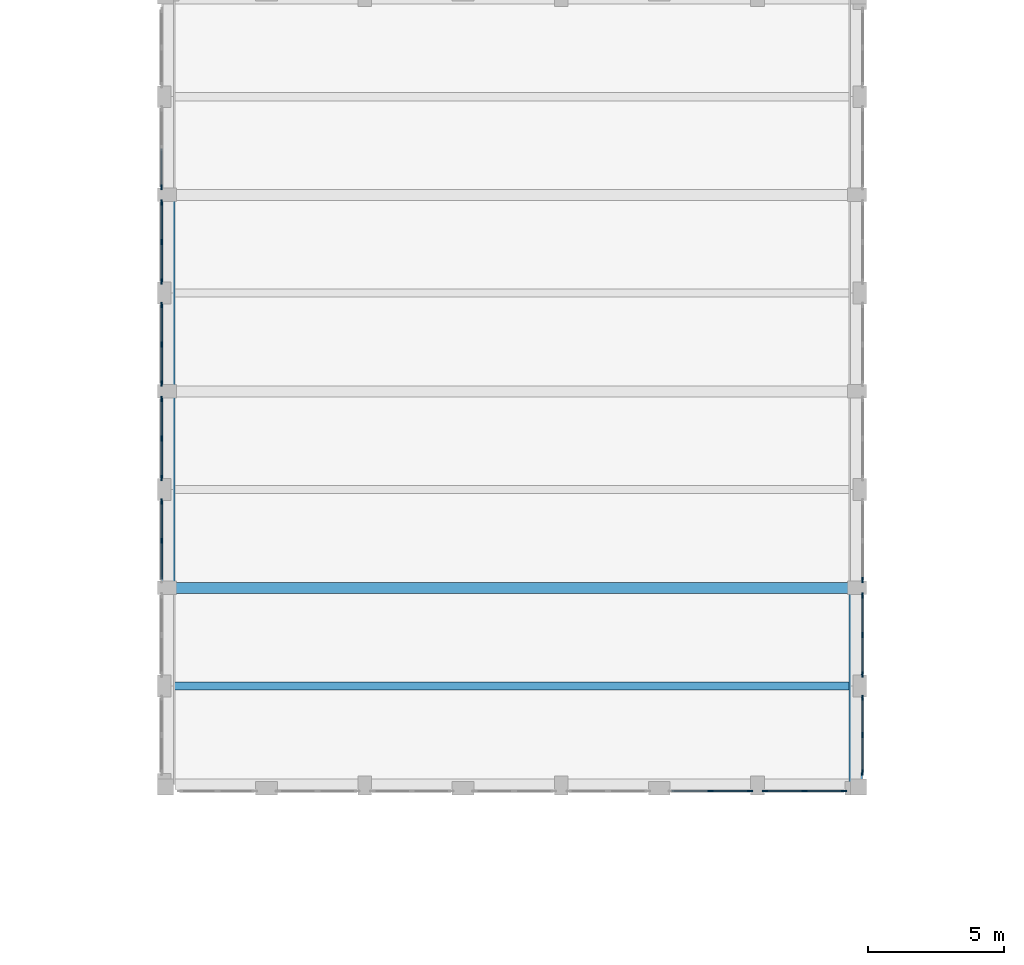
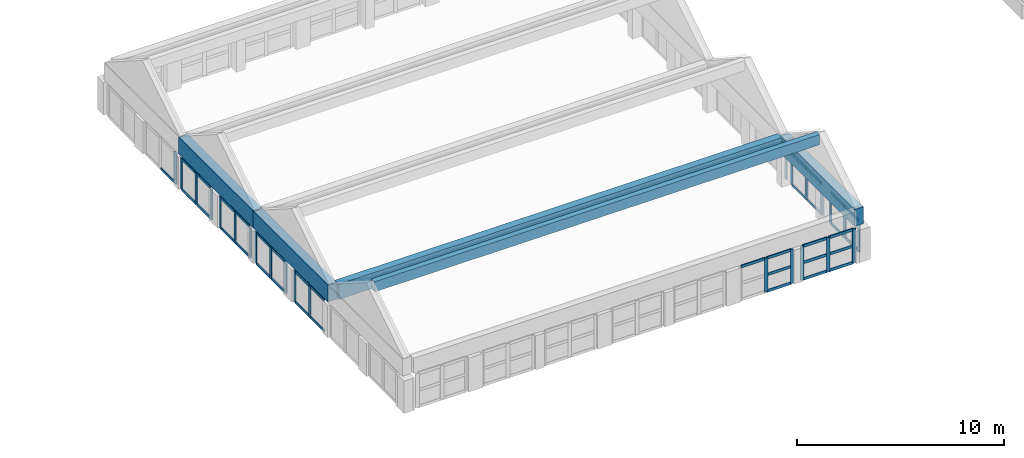
# One storey, part 3 of 38: 59 members, 5 beams, 10 elements without a shape of their own.
"""IFC4 building model written with IfcOpenShell, lengths in metres."""

from ifc_helpers import new_model, si_unit, direction, frame, origin, origin_2d, place, context, subcontext, project, spatial, rectangle, extrude, material, layer, layer_set, material_profile, profile_set, type_object, element, aggregate, save


model = new_model("IFC4")

# Units and contexts
model_context = context("Model", 3, precision=1e-05, world=origin(), true_north=direction((0.0, 1.0)))
body_context = subcontext(model_context, "Body", "Model", "MODEL_VIEW")
ifc_project = project(units=[si_unit("LENGTHUNIT", "METRE"), si_unit("AREAUNIT", "SQUARE_METRE"), si_unit("VOLUMEUNIT", "CUBIC_METRE"), si_unit("PLANEANGLEUNIT", "RADIAN"), si_unit("MASSUNIT", "GRAM", prefix="KILO")], contexts=[model_context])

# Site, building, storey
site_placement = place(None, origin())
site = spatial("IfcSite", under=ifc_project, at=site_placement, CompositionType="ELEMENT")
building_placement = place(site_placement, origin())
building = spatial("IfcBuilding", under=site, at=building_placement, Name="Ussher Court Research Institute", CompositionType="ELEMENT")
storey_placement = place(building_placement, frame((0.0, 0.0, 23.39990234375)))
storey = spatial("IfcBuildingStorey", under=building, at=storey_placement, Name="L05", CompositionType="ELEMENT", Elevation=23.39990234375)

# Curtain wall, member
ifc_material_1 = material(Name="Bronze anodised aluminium with low-e glass", Category="aluminium")
ifc_layer = layer(ifc_material_1, 0.159912109375)
ifc_layer_set = layer_set([ifc_layer], Name="Bronze anodised aluminium with low-e glass")
curtain_wall_type = type_object("IfcCurtainWallType", Name="Curtain wall atrium clerestory tall glazing", PredefinedType="NOTDEFINED", material=ifc_layer_set)
curtain_wall_1_placement = place(storey_placement, origin())
curtain_wall_1 = element("IfcCurtainWall", 1, at=curtain_wall_1_placement, inside=storey, type_object=curtain_wall_type, Name="Curtain wall CW3 L05", PredefinedType="NOTDEFINED")
ifc_material_2 = material(Name="Bronze anodised aluminium", Category="aluminium")
ifc_material_profile_1 = material_profile(ifc_material_2, rectangle(XDim=0.06005859375, YDim=0.199951171875, at=origin_2d()), Name="Mullion 60x200")
ifc_profile_set_1 = profile_set([ifc_material_profile_1], Name="Bronze anodised aluminium")
member_type_1 = type_object("IfcMemberType", Name="Mullion 60x200", PredefinedType="MULLION", material=ifc_profile_set_1)
member_1_placement = place(storey_placement, frame((64.449951171875, 18.679931640625, 0.0), z_axis=(0.0, 0.0, 1.0), x_axis=(1.0, 0.0, 0.0)))
member_1 = element("IfcMember", 2, at=member_1_placement, type_object=member_type_1, Name="CW3 mullion 3", PredefinedType="MULLION", context=body_context, shape_type="SweptSolid", body=[
    extrude(rectangle(XDim=0.06005859375, YDim=0.199951171875, at=origin_2d()), origin(), (0.0, 0.0, 1.0), 1.85009765625),
])
aggregate(curtain_wall_1, [member_1])

# Curtain wall, members
curtain_wall_2_placement = place(storey_placement, origin())
curtain_wall_2 = element("IfcCurtainWall", 3, at=curtain_wall_2_placement, inside=storey, type_object=curtain_wall_type, Name="Curtain wall CW3 L05", PredefinedType="NOTDEFINED")
member_2_placement = place(storey_placement, frame((64.449951171875, 18.1201171875, 0.0), z_axis=(0.0, 0.0, 1.0), x_axis=(1.0, 0.0, 0.0)))
member_2 = element("IfcMember", 4, at=member_2_placement, type_object=member_type_1, Name="CW3 mullion 1", PredefinedType="MULLION", context=body_context, shape_type="SweptSolid", body=[
    extrude(rectangle(XDim=0.06005859375, YDim=0.199951171875, at=origin_2d()), origin(), (0.0, 0.0, 1.0), 1.85009765625),
])
member_3_placement = place(storey_placement, frame((64.449951171875, 16.675048828125, 0.0), z_axis=(0.0, 0.0, 1.0), x_axis=(1.0, 0.0, 0.0)))
member_3 = element("IfcMember", 5, at=member_3_placement, type_object=member_type_1, Name="CW3 mullion 2", PredefinedType="MULLION", context=body_context, shape_type="SweptSolid", body=[
    extrude(rectangle(XDim=0.06005859375, YDim=0.199951171875, at=origin_2d()), origin(), (0.0, 0.0, 1.0), 1.85009765625),
])
member_4_placement = place(storey_placement, frame((64.449951171875, 15.22998046875, 0.0), z_axis=(0.0, 0.0, 1.0), x_axis=(1.0, 0.0, 0.0)))
member_4 = element("IfcMember", 6, at=member_4_placement, type_object=member_type_1, Name="CW3 mullion 3", PredefinedType="MULLION", context=body_context, shape_type="SweptSolid", body=[
    extrude(rectangle(XDim=0.06005859375, YDim=0.199951171875, at=origin_2d()), origin(), (0.0, 0.0, 1.0), 1.85009765625),
])

curtain_wall_3_placement = place(storey_placement, origin())
curtain_wall_3 = element("IfcCurtainWall", 7, at=curtain_wall_3_placement, inside=storey, type_object=curtain_wall_type, Name="Curtain wall CW3 L05", PredefinedType="NOTDEFINED")
member_5_placement = place(storey_placement, frame((64.449951171875, 14.3701171875, 0.0), z_axis=(0.0, 0.0, 1.0), x_axis=(1.0, 0.0, 0.0)))
member_5 = element("IfcMember", 8, at=member_5_placement, type_object=member_type_1, Name="CW3 mullion 1", PredefinedType="MULLION", context=body_context, shape_type="SweptSolid", body=[
    extrude(rectangle(XDim=0.06005859375, YDim=0.199951171875, at=origin_2d()), origin(), (0.0, 0.0, 1.0), 1.85009765625),
])
member_6_placement = place(storey_placement, frame((64.449951171875, 13.0, 0.0), z_axis=(0.0, 0.0, 1.0), x_axis=(1.0, 0.0, 0.0)))
member_6 = element("IfcMember", 9, at=member_6_placement, type_object=member_type_1, Name="CW3 mullion 2", PredefinedType="MULLION", context=body_context, shape_type="SweptSolid", body=[
    extrude(rectangle(XDim=0.06005859375, YDim=0.199951171875, at=origin_2d()), origin(), (0.0, 0.0, 1.0), 1.85009765625),
])
member_7_placement = place(storey_placement, frame((64.449951171875, 11.6298828125, 0.0), z_axis=(0.0, 0.0, 1.0), x_axis=(1.0, 0.0, 0.0)))
member_7 = element("IfcMember", 10, at=member_7_placement, type_object=member_type_1, Name="CW3 mullion 3", PredefinedType="MULLION", context=body_context, shape_type="SweptSolid", body=[
    extrude(rectangle(XDim=0.06005859375, YDim=0.199951171875, at=origin_2d()), origin(), (0.0, 0.0, 1.0), 1.85009765625),
])

curtain_wall_4_placement = place(storey_placement, origin())
curtain_wall_4 = element("IfcCurtainWall", 11, at=curtain_wall_4_placement, inside=storey, type_object=curtain_wall_type, Name="Curtain wall CW3 L05", PredefinedType="NOTDEFINED")
member_8_placement = place(storey_placement, frame((63.77001953125, 10.949951171875, 0.0), z_axis=(0.0, 0.0, 1.0), x_axis=(0.0, -1.0, 0.0)))
member_8 = element("IfcMember", 12, at=member_8_placement, type_object=member_type_1, Name="CW3 mullion 1", PredefinedType="MULLION", context=body_context, shape_type="SweptSolid", body=[
    extrude(rectangle(XDim=0.06005859375, YDim=0.199951171875, at=origin_2d()), origin(), (0.0, 0.0, 1.0), 2.0),
])
member_9_placement = place(storey_placement, frame((62.324951171875, 10.949951171875, 0.0), z_axis=(0.0, 0.0, 1.0), x_axis=(0.0, -1.0, 0.0)))
member_9 = element("IfcMember", 13, at=member_9_placement, type_object=member_type_1, Name="CW3 mullion 2", PredefinedType="MULLION", context=body_context, shape_type="SweptSolid", body=[
    extrude(rectangle(XDim=0.06005859375, YDim=0.199951171875, at=origin_2d()), origin(), (0.0, 0.0, 1.0), 2.0),
])
member_10_placement = place(storey_placement, frame((60.8798828125, 10.949951171875, 0.0), z_axis=(0.0, 0.0, 1.0), x_axis=(0.0, -1.0, 0.0)))
member_10 = element("IfcMember", 14, at=member_10_placement, type_object=member_type_1, Name="CW3 mullion 3", PredefinedType="MULLION", context=body_context, shape_type="SweptSolid", body=[
    extrude(rectangle(XDim=0.06005859375, YDim=0.199951171875, at=origin_2d()), origin(), (0.0, 0.0, 1.0), 2.0),
])

curtain_wall_5_placement = place(storey_placement, origin())
curtain_wall_5 = element("IfcCurtainWall", 15, at=curtain_wall_5_placement, inside=storey, type_object=curtain_wall_type, Name="Curtain wall CW3 L05", PredefinedType="NOTDEFINED")
member_11_placement = place(storey_placement, frame((60.320068359375, 10.949951171875, 0.0), z_axis=(0.0, 0.0, 1.0), x_axis=(0.0, -1.0, 0.0)))
member_11 = element("IfcMember", 16, at=member_11_placement, type_object=member_type_1, Name="CW3 mullion 1", PredefinedType="MULLION", context=body_context, shape_type="SweptSolid", body=[
    extrude(rectangle(XDim=0.06005859375, YDim=0.199951171875, at=origin_2d()), origin(), (0.0, 0.0, 1.0), 2.0),
])
member_12_placement = place(storey_placement, frame((58.875, 10.949951171875, 0.0), z_axis=(0.0, 0.0, 1.0), x_axis=(0.0, -1.0, 0.0)))
member_12 = element("IfcMember", 17, at=member_12_placement, type_object=member_type_1, Name="CW3 mullion 2", PredefinedType="MULLION", context=body_context, shape_type="SweptSolid", body=[
    extrude(rectangle(XDim=0.06005859375, YDim=0.199951171875, at=origin_2d()), origin(), (0.0, 0.0, 1.0), 2.0),
])

curtain_wall_6_placement = place(storey_placement, origin())
curtain_wall_6 = element("IfcCurtainWall", 18, at=curtain_wall_6_placement, inside=storey, type_object=curtain_wall_type, Name="Curtain wall CW3 L05", PredefinedType="NOTDEFINED")
member_13_placement = place(storey_placement, frame((38.75, 20.125, 0.0), z_axis=(0.0, 0.0, 1.0), x_axis=(-1.0, 0.0, 0.0)))
member_13 = element("IfcMember", 19, at=member_13_placement, type_object=member_type_1, Name="CW3 mullion 2", PredefinedType="MULLION", context=body_context, shape_type="SweptSolid", body=[
    extrude(rectangle(XDim=0.06005859375, YDim=0.199951171875, at=origin_2d()), origin(), (0.0, 0.0, 1.0), 1.85009765625),
])
member_14_placement = place(storey_placement, frame((38.75, 21.570068359375, 0.0), z_axis=(0.0, 0.0, 1.0), x_axis=(-1.0, 0.0, 0.0)))
member_14 = element("IfcMember", 20, at=member_14_placement, type_object=member_type_1, Name="CW3 mullion 3", PredefinedType="MULLION", context=body_context, shape_type="SweptSolid", body=[
    extrude(rectangle(XDim=0.06005859375, YDim=0.199951171875, at=origin_2d()), origin(), (0.0, 0.0, 1.0), 1.85009765625),
])

curtain_wall_7_placement = place(storey_placement, origin())
curtain_wall_7 = element("IfcCurtainWall", 21, at=curtain_wall_7_placement, inside=storey, type_object=curtain_wall_type, Name="Curtain wall CW3 L05", PredefinedType="NOTDEFINED")
member_15_placement = place(storey_placement, frame((38.75, 22.429931640625, 0.0), z_axis=(0.0, 0.0, 1.0), x_axis=(-1.0, 0.0, 0.0)))
member_15 = element("IfcMember", 22, at=member_15_placement, type_object=member_type_1, Name="CW3 mullion 1", PredefinedType="MULLION", context=body_context, shape_type="SweptSolid", body=[
    extrude(rectangle(XDim=0.06005859375, YDim=0.199951171875, at=origin_2d()), origin(), (0.0, 0.0, 1.0), 1.85009765625),
])
member_16_placement = place(storey_placement, frame((38.75, 23.875, 0.0), z_axis=(0.0, 0.0, 1.0), x_axis=(-1.0, 0.0, 0.0)))
member_16 = element("IfcMember", 23, at=member_16_placement, type_object=member_type_1, Name="CW3 mullion 2", PredefinedType="MULLION", context=body_context, shape_type="SweptSolid", body=[
    extrude(rectangle(XDim=0.06005859375, YDim=0.199951171875, at=origin_2d()), origin(), (0.0, 0.0, 1.0), 1.85009765625),
])
member_17_placement = place(storey_placement, frame((38.75, 25.320068359375, 0.0), z_axis=(0.0, 0.0, 1.0), x_axis=(-1.0, 0.0, 0.0)))
member_17 = element("IfcMember", 24, at=member_17_placement, type_object=member_type_1, Name="CW3 mullion 3", PredefinedType="MULLION", context=body_context, shape_type="SweptSolid", body=[
    extrude(rectangle(XDim=0.06005859375, YDim=0.199951171875, at=origin_2d()), origin(), (0.0, 0.0, 1.0), 1.85009765625),
])

curtain_wall_8_placement = place(storey_placement, origin())
curtain_wall_8 = element("IfcCurtainWall", 25, at=curtain_wall_8_placement, inside=storey, type_object=curtain_wall_type, Name="Curtain wall CW3 L05", PredefinedType="NOTDEFINED")
member_18_placement = place(storey_placement, frame((38.75, 25.8798828125, 0.0), z_axis=(0.0, 0.0, 1.0), x_axis=(-1.0, 0.0, 0.0)))
member_18 = element("IfcMember", 26, at=member_18_placement, type_object=member_type_1, Name="CW3 mullion 1", PredefinedType="MULLION", context=body_context, shape_type="SweptSolid", body=[
    extrude(rectangle(XDim=0.06005859375, YDim=0.199951171875, at=origin_2d()), origin(), (0.0, 0.0, 1.0), 1.85009765625),
])
member_19_placement = place(storey_placement, frame((38.75, 27.324951171875, 0.0), z_axis=(0.0, 0.0, 1.0), x_axis=(-1.0, 0.0, 0.0)))
member_19 = element("IfcMember", 27, at=member_19_placement, type_object=member_type_1, Name="CW3 mullion 2", PredefinedType="MULLION", context=body_context, shape_type="SweptSolid", body=[
    extrude(rectangle(XDim=0.06005859375, YDim=0.199951171875, at=origin_2d()), origin(), (0.0, 0.0, 1.0), 1.85009765625),
])
member_20_placement = place(storey_placement, frame((38.75, 28.77001953125, 0.0), z_axis=(0.0, 0.0, 1.0), x_axis=(-1.0, 0.0, 0.0)))
member_20 = element("IfcMember", 28, at=member_20_placement, type_object=member_type_1, Name="CW3 mullion 3", PredefinedType="MULLION", context=body_context, shape_type="SweptSolid", body=[
    extrude(rectangle(XDim=0.06005859375, YDim=0.199951171875, at=origin_2d()), origin(), (0.0, 0.0, 1.0), 1.85009765625),
])

curtain_wall_9_placement = place(storey_placement, origin())
curtain_wall_9 = element("IfcCurtainWall", 29, at=curtain_wall_9_placement, inside=storey, type_object=curtain_wall_type, Name="Curtain wall CW3 L05", PredefinedType="NOTDEFINED")
member_21_placement = place(storey_placement, frame((38.75, 29.6298828125, 0.0), z_axis=(0.0, 0.0, 1.0), x_axis=(-1.0, 0.0, 0.0)))
member_21 = element("IfcMember", 30, at=member_21_placement, type_object=member_type_1, Name="CW3 mullion 1", PredefinedType="MULLION", context=body_context, shape_type="SweptSolid", body=[
    extrude(rectangle(XDim=0.06005859375, YDim=0.199951171875, at=origin_2d()), origin(), (0.0, 0.0, 1.0), 1.85009765625),
])
member_22_placement = place(storey_placement, frame((38.75, 31.074951171875, 0.0), z_axis=(0.0, 0.0, 1.0), x_axis=(-1.0, 0.0, 0.0)))
member_22 = element("IfcMember", 31, at=member_22_placement, type_object=member_type_1, Name="CW3 mullion 2", PredefinedType="MULLION", context=body_context, shape_type="SweptSolid", body=[
    extrude(rectangle(XDim=0.06005859375, YDim=0.199951171875, at=origin_2d()), origin(), (0.0, 0.0, 1.0), 1.85009765625),
])
member_23_placement = place(storey_placement, frame((38.75, 32.52001953125, 0.0), z_axis=(0.0, 0.0, 1.0), x_axis=(-1.0, 0.0, 0.0)))
member_23 = element("IfcMember", 32, at=member_23_placement, type_object=member_type_1, Name="CW3 mullion 3", PredefinedType="MULLION", context=body_context, shape_type="SweptSolid", body=[
    extrude(rectangle(XDim=0.06005859375, YDim=0.199951171875, at=origin_2d()), origin(), (0.0, 0.0, 1.0), 1.85009765625),
])

# Curtain wall, member
curtain_wall_10_placement = place(storey_placement, origin())
curtain_wall_10 = element("IfcCurtainWall", 33, at=curtain_wall_10_placement, inside=storey, type_object=curtain_wall_type, Name="Curtain wall CW3 L05", PredefinedType="NOTDEFINED")
member_24_placement = place(storey_placement, frame((38.75, 33.080078125, 0.0), z_axis=(0.0, 0.0, 1.0), x_axis=(-1.0, 0.0, 0.0)))
member_24 = element("IfcMember", 34, at=member_24_placement, type_object=member_type_1, Name="CW3 mullion 1", PredefinedType="MULLION", context=body_context, shape_type="SweptSolid", body=[
    extrude(rectangle(XDim=0.06005859375, YDim=0.199951171875, at=origin_2d()), origin(), (0.0, 0.0, 1.0), 1.85009765625),
])

# Beams
ifc_material_3 = material(Name="Concrete C35/45", Category="concrete")
ifc_material_profile_2 = material_profile(ifc_material_3, rectangle(XDim=0.300048828125, YDim=0.60009765625, at=origin_2d()), Name="RC 300x600")
ifc_profile_set_2 = profile_set([ifc_material_profile_2], Name="Concrete C35/45")
beam_type_1 = type_object("IfcBeamType", Name="RC 300x600 beam", PredefinedType="BEAM", material=ifc_profile_set_2)
beam_1_placement = place(storey_placement, frame((39.199951171875, 14.800048828125, 4.919677734375), z_axis=(1.0, 0.0, 0.0), x_axis=(0.0, 1.0, 0.0)))
element("IfcBeam", 35, at=beam_1_placement, inside=storey, type_object=beam_type_1, Name="B3 V2 L05-01", PredefinedType="BEAM", context=body_context, shape_type="SweptSolid", body=[
    extrude(rectangle(XDim=0.300048828125, YDim=0.60009765625, at=origin_2d()), origin(), (0.0, 0.0, 1.0), 24.800048828125),
])
ifc_material_4 = material(Name="Concrete C35/45", Category="concrete")
ifc_material_profile_3 = material_profile(ifc_material_4, rectangle(XDim=0.39990234375, YDim=0.89990234375, at=origin_2d()), Name="RC 400x900")
ifc_profile_set_3 = profile_set([ifc_material_profile_3], Name="Concrete C35/45")
beam_type_2 = type_object("IfcBeamType", Name="RC 400x900 beam", PredefinedType="BEAM", material=ifc_profile_set_3)
beam_2_placement = place(storey_placement, frame((39.25, 18.39990234375, 2.455322265625), z_axis=(1.0, 0.0, 0.0), x_axis=(0.0, 1.0, 0.0)))
element("IfcBeam", 36, at=beam_2_placement, inside=storey, type_object=beam_type_2, Name="B8 V2 L05-02", PredefinedType="BEAM", context=body_context, shape_type="SweptSolid", body=[
    extrude(rectangle(XDim=0.39990234375, YDim=0.89990234375, at=origin_2d()), origin(), (0.0, 0.0, 1.0), 24.699951171875),
])
ifc_material_5 = material(Name="Concrete C35/45", Category="concrete")
ifc_material_profile_4 = material_profile(ifc_material_5, rectangle(XDim=0.5, YDim=1.0, at=origin_2d()), Name="RC 500x1000")
ifc_profile_set_4 = profile_set([ifc_material_profile_4], Name="Concrete C35/45")
beam_type_3 = type_object("IfcBeamType", Name="RC 500x1000 beam", PredefinedType="BEAM", material=ifc_profile_set_4)
beam_3_placement = place(storey_placement, frame((39.0, 18.39990234375, 2.4052734375), z_axis=(0.0, 1.0, 0.0), x_axis=(-1.0, 0.0, 0.0)))
element("IfcBeam", 37, at=beam_3_placement, inside=storey, type_object=beam_type_3, Name="B12 V2 L05-02", PredefinedType="BEAM", context=body_context, shape_type="SweptSolid", body=[
    extrude(rectangle(XDim=0.5, YDim=1.0, at=origin_2d()), origin(), (0.0, 0.0, 1.0), 7.2001953125),
])
for number, where, z_axis, x_axis, name in (
    (38, (39.0, 25.60009765625, 2.4052734375), (0.0, 1.0, 0.0), (-1.0, 0.0, 0.0), "B12 V2 L05-03"),
    (39, (64.199951171875, 11.199951171875, 2.4052734375), (0.0, 1.0, 0.0), (-1.0, 0.0, 0.0), "B12 V2 L05-05"),
):
    element("IfcBeam", number, at=place(storey_placement, frame(where, z_axis=z_axis, x_axis=x_axis)), inside=storey, type_object=beam_type_3, Name=name, PredefinedType="BEAM", context=body_context, shape_type="SweptSolid", body=[
        extrude(rectangle(XDim=0.5, YDim=1.0, at=origin_2d()), origin(), (0.0, 0.0, 1.0), 7.199951171875),
    ])

# Member
ifc_material_6 = material(Name="Bronze anodised aluminium", Category="aluminium")
ifc_material_profile_5 = material_profile(ifc_material_6, rectangle(XDim=0.06005859375, YDim=0.159912109375, at=origin_2d()), Name="Transom 60x160")
ifc_profile_set_5 = profile_set([ifc_material_profile_5], Name="Bronze anodised aluminium")
member_type_2 = type_object("IfcMemberType", Name="Transom 60x160", PredefinedType="USERDEFINED", material=ifc_profile_set_5)
member_25_placement = place(storey_placement, frame((64.449951171875, 18.090087890625, 0.030029296875), z_axis=(0.0, -1.0, 0.0), x_axis=(1.0, 0.0, 0.0)))
member_25 = element("IfcMember", 40, at=member_25_placement, type_object=member_type_2, Name="CW3 transom 1.1", ObjectType="TRANSOM", PredefinedType="USERDEFINED", context=body_context, shape_type="SweptSolid", body=[
    extrude(rectangle(XDim=0.06005859375, YDim=0.159912109375, at=origin_2d()), origin(), (0.0, 0.0, 1.0), 1.385009765625),
])

member_26_placement = place(storey_placement, frame((64.449951171875, 18.090087890625, 1.820068359375), z_axis=(0.0, -1.0, 0.0), x_axis=(1.0, 0.0, 0.0)))
member_26 = element("IfcMember", 41, at=member_26_placement, type_object=member_type_2, Name="CW3 transom 1.2", ObjectType="TRANSOM", PredefinedType="USERDEFINED", context=body_context, shape_type="SweptSolid", body=[
    extrude(rectangle(XDim=0.06005859375, YDim=0.159912109375, at=origin_2d()), origin(), (0.0, 0.0, 1.0), 1.385009765625),
])

member_27_placement = place(storey_placement, frame((64.449951171875, 16.64501953125, 0.030029296875), z_axis=(0.0, -1.0, 0.0), x_axis=(1.0, 0.0, 0.0)))
member_27 = element("IfcMember", 42, at=member_27_placement, type_object=member_type_2, Name="CW3 transom 2.1", ObjectType="TRANSOM", PredefinedType="USERDEFINED", context=body_context, shape_type="SweptSolid", body=[
    extrude(rectangle(XDim=0.06005859375, YDim=0.159912109375, at=origin_2d()), origin(), (0.0, 0.0, 1.0), 1.385009765625),
])

member_28_placement = place(storey_placement, frame((64.449951171875, 16.64501953125, 1.820068359375), z_axis=(0.0, -1.0, 0.0), x_axis=(1.0, 0.0, 0.0)))
member_28 = element("IfcMember", 43, at=member_28_placement, type_object=member_type_2, Name="CW3 transom 2.2", ObjectType="TRANSOM", PredefinedType="USERDEFINED", context=body_context, shape_type="SweptSolid", body=[
    extrude(rectangle(XDim=0.06005859375, YDim=0.159912109375, at=origin_2d()), origin(), (0.0, 0.0, 1.0), 1.385009765625),
])

aggregate(curtain_wall_2, [member_2, member_3, member_4, member_25, member_26, member_27, member_28])

member_29_placement = place(storey_placement, frame((64.449951171875, 14.340087890625, 0.030029296875), z_axis=(0.0, -1.0, 0.0), x_axis=(1.0, 0.0, 0.0)))
member_29 = element("IfcMember", 44, at=member_29_placement, type_object=member_type_2, Name="CW3 transom 1.1", ObjectType="TRANSOM", PredefinedType="USERDEFINED", context=body_context, shape_type="SweptSolid", body=[
    extrude(rectangle(XDim=0.06005859375, YDim=0.159912109375, at=origin_2d()), origin(), (0.0, 0.0, 1.0), 1.31005859375),
])

member_30_placement = place(storey_placement, frame((64.449951171875, 14.340087890625, 1.820068359375), z_axis=(0.0, -1.0, 0.0), x_axis=(1.0, 0.0, 0.0)))
member_30 = element("IfcMember", 45, at=member_30_placement, type_object=member_type_2, Name="CW3 transom 1.2", ObjectType="TRANSOM", PredefinedType="USERDEFINED", context=body_context, shape_type="SweptSolid", body=[
    extrude(rectangle(XDim=0.06005859375, YDim=0.159912109375, at=origin_2d()), origin(), (0.0, 0.0, 1.0), 1.31005859375),
])

member_31_placement = place(storey_placement, frame((64.449951171875, 12.969970703125, 0.030029296875), z_axis=(0.0, -1.0, 0.0), x_axis=(1.0, 0.0, 0.0)))
member_31 = element("IfcMember", 46, at=member_31_placement, type_object=member_type_2, Name="CW3 transom 2.1", ObjectType="TRANSOM", PredefinedType="USERDEFINED", context=body_context, shape_type="SweptSolid", body=[
    extrude(rectangle(XDim=0.06005859375, YDim=0.159912109375, at=origin_2d()), origin(), (0.0, 0.0, 1.0), 1.31005859375),
])

member_32_placement = place(storey_placement, frame((64.449951171875, 12.969970703125, 1.820068359375), z_axis=(0.0, -1.0, 0.0), x_axis=(1.0, 0.0, 0.0)))
member_32 = element("IfcMember", 47, at=member_32_placement, type_object=member_type_2, Name="CW3 transom 2.2", ObjectType="TRANSOM", PredefinedType="USERDEFINED", context=body_context, shape_type="SweptSolid", body=[
    extrude(rectangle(XDim=0.06005859375, YDim=0.159912109375, at=origin_2d()), origin(), (0.0, 0.0, 1.0), 1.31005859375),
])

aggregate(curtain_wall_3, [member_5, member_6, member_7, member_29, member_30, member_31, member_32])

member_33_placement = place(storey_placement, frame((63.739990234375, 10.949951171875, 0.030029296875), z_axis=(-1.0, 0.0, 0.0), x_axis=(0.0, -1.0, 0.0)))
member_33 = element("IfcMember", 48, at=member_33_placement, type_object=member_type_2, Name="CW3 transom 1.1", ObjectType="TRANSOM", PredefinedType="USERDEFINED", context=body_context, shape_type="SweptSolid", body=[
    extrude(rectangle(XDim=0.06005859375, YDim=0.159912109375, at=origin_2d()), origin(), (0.0, 0.0, 1.0), 1.385009765625),
])

member_34_placement = place(storey_placement, frame((63.739990234375, 10.949951171875, 1.0), z_axis=(-1.0, 0.0, 0.0), x_axis=(0.0, -1.0, 0.0)))
member_34 = element("IfcMember", 49, at=member_34_placement, type_object=member_type_2, Name="CW3 transom 1.2", ObjectType="TRANSOM", PredefinedType="USERDEFINED", context=body_context, shape_type="SweptSolid", body=[
    extrude(rectangle(XDim=0.06005859375, YDim=0.159912109375, at=origin_2d()), origin(), (0.0, 0.0, 1.0), 1.385009765625),
])

member_35_placement = place(storey_placement, frame((63.739990234375, 10.949951171875, 1.97021484375), z_axis=(-1.0, 0.0, 0.0), x_axis=(0.0, -1.0, 0.0)))
member_35 = element("IfcMember", 50, at=member_35_placement, type_object=member_type_2, Name="CW3 transom 1.3", ObjectType="TRANSOM", PredefinedType="USERDEFINED", context=body_context, shape_type="SweptSolid", body=[
    extrude(rectangle(XDim=0.06005859375, YDim=0.159912109375, at=origin_2d()), origin(), (0.0, 0.0, 1.0), 1.385009765625),
])

member_36_placement = place(storey_placement, frame((62.294921875, 10.949951171875, 0.030029296875), z_axis=(-1.0, 0.0, 0.0), x_axis=(0.0, -1.0, 0.0)))
member_36 = element("IfcMember", 51, at=member_36_placement, type_object=member_type_2, Name="CW3 transom 2.1", ObjectType="TRANSOM", PredefinedType="USERDEFINED", context=body_context, shape_type="SweptSolid", body=[
    extrude(rectangle(XDim=0.06005859375, YDim=0.159912109375, at=origin_2d()), origin(), (0.0, 0.0, 1.0), 1.385009765625),
])

member_37_placement = place(storey_placement, frame((62.294921875, 10.949951171875, 1.0), z_axis=(-1.0, 0.0, 0.0), x_axis=(0.0, -1.0, 0.0)))
member_37 = element("IfcMember", 52, at=member_37_placement, type_object=member_type_2, Name="CW3 transom 2.2", ObjectType="TRANSOM", PredefinedType="USERDEFINED", context=body_context, shape_type="SweptSolid", body=[
    extrude(rectangle(XDim=0.06005859375, YDim=0.159912109375, at=origin_2d()), origin(), (0.0, 0.0, 1.0), 1.385009765625),
])

member_38_placement = place(storey_placement, frame((62.294921875, 10.949951171875, 1.97021484375), z_axis=(-1.0, 0.0, 0.0), x_axis=(0.0, -1.0, 0.0)))
member_38 = element("IfcMember", 53, at=member_38_placement, type_object=member_type_2, Name="CW3 transom 2.3", ObjectType="TRANSOM", PredefinedType="USERDEFINED", context=body_context, shape_type="SweptSolid", body=[
    extrude(rectangle(XDim=0.06005859375, YDim=0.159912109375, at=origin_2d()), origin(), (0.0, 0.0, 1.0), 1.385009765625),
])

aggregate(curtain_wall_4, [member_8, member_9, member_10, member_33, member_34, member_35, member_36, member_37, member_38])

member_39_placement = place(storey_placement, frame((60.2900390625, 10.949951171875, 0.030029296875), z_axis=(-1.0, 0.0, 0.0), x_axis=(0.0, -1.0, 0.0)))
member_39 = element("IfcMember", 54, at=member_39_placement, type_object=member_type_2, Name="CW3 transom 1.1", ObjectType="TRANSOM", PredefinedType="USERDEFINED", context=body_context, shape_type="SweptSolid", body=[
    extrude(rectangle(XDim=0.06005859375, YDim=0.159912109375, at=origin_2d()), origin(), (0.0, 0.0, 1.0), 1.385009765625),
])

member_40_placement = place(storey_placement, frame((60.2900390625, 10.949951171875, 1.0), z_axis=(-1.0, 0.0, 0.0), x_axis=(0.0, -1.0, 0.0)))
member_40 = element("IfcMember", 55, at=member_40_placement, type_object=member_type_2, Name="CW3 transom 1.2", ObjectType="TRANSOM", PredefinedType="USERDEFINED", context=body_context, shape_type="SweptSolid", body=[
    extrude(rectangle(XDim=0.06005859375, YDim=0.159912109375, at=origin_2d()), origin(), (0.0, 0.0, 1.0), 1.385009765625),
])

member_41_placement = place(storey_placement, frame((60.2900390625, 10.949951171875, 1.97021484375), z_axis=(-1.0, 0.0, 0.0), x_axis=(0.0, -1.0, 0.0)))
member_41 = element("IfcMember", 56, at=member_41_placement, type_object=member_type_2, Name="CW3 transom 1.3", ObjectType="TRANSOM", PredefinedType="USERDEFINED", context=body_context, shape_type="SweptSolid", body=[
    extrude(rectangle(XDim=0.06005859375, YDim=0.159912109375, at=origin_2d()), origin(), (0.0, 0.0, 1.0), 1.385009765625),
])

member_42_placement = place(storey_placement, frame((58.844970703125, 10.949951171875, 1.97021484375), z_axis=(-1.0, 0.0, 0.0), x_axis=(0.0, -1.0, 0.0)))
member_42 = element("IfcMember", 57, at=member_42_placement, type_object=member_type_2, Name="CW3 transom 2.3", ObjectType="TRANSOM", PredefinedType="USERDEFINED", context=body_context, shape_type="SweptSolid", body=[
    extrude(rectangle(XDim=0.06005859375, YDim=0.159912109375, at=origin_2d()), origin(), (0.0, 0.0, 1.0), 1.385009765625),
])

aggregate(curtain_wall_5, [member_11, member_12, member_39, member_40, member_41, member_42])

member_43_placement = place(storey_placement, frame((38.75, 18.7099609375, 0.030029296875), z_axis=(0.0, 1.0, 0.0), x_axis=(-1.0, 0.0, 0.0)))
member_43 = element("IfcMember", 58, at=member_43_placement, type_object=member_type_2, Name="CW3 transom 1.1", ObjectType="TRANSOM", PredefinedType="USERDEFINED", context=body_context, shape_type="SweptSolid", body=[
    extrude(rectangle(XDim=0.06005859375, YDim=0.159912109375, at=origin_2d()), origin(), (0.0, 0.0, 1.0), 1.385009765625),
])

member_44_placement = place(storey_placement, frame((38.75, 18.7099609375, 1.820068359375), z_axis=(0.0, 1.0, 0.0), x_axis=(-1.0, 0.0, 0.0)))
member_44 = element("IfcMember", 59, at=member_44_placement, type_object=member_type_2, Name="CW3 transom 1.2", ObjectType="TRANSOM", PredefinedType="USERDEFINED", context=body_context, shape_type="SweptSolid", body=[
    extrude(rectangle(XDim=0.06005859375, YDim=0.159912109375, at=origin_2d()), origin(), (0.0, 0.0, 1.0), 1.385009765625),
])

member_45_placement = place(storey_placement, frame((38.75, 20.155029296875, 0.030029296875), z_axis=(0.0, 1.0, 0.0), x_axis=(-1.0, 0.0, 0.0)))
member_45 = element("IfcMember", 60, at=member_45_placement, type_object=member_type_2, Name="CW3 transom 2.1", ObjectType="TRANSOM", PredefinedType="USERDEFINED", context=body_context, shape_type="SweptSolid", body=[
    extrude(rectangle(XDim=0.06005859375, YDim=0.159912109375, at=origin_2d()), origin(), (0.0, 0.0, 1.0), 1.385009765625),
])

member_46_placement = place(storey_placement, frame((38.75, 20.155029296875, 1.820068359375), z_axis=(0.0, 1.0, 0.0), x_axis=(-1.0, 0.0, 0.0)))
member_46 = element("IfcMember", 61, at=member_46_placement, type_object=member_type_2, Name="CW3 transom 2.2", ObjectType="TRANSOM", PredefinedType="USERDEFINED", context=body_context, shape_type="SweptSolid", body=[
    extrude(rectangle(XDim=0.06005859375, YDim=0.159912109375, at=origin_2d()), origin(), (0.0, 0.0, 1.0), 1.385009765625),
])

aggregate(curtain_wall_6, [member_13, member_14, member_43, member_44, member_45, member_46])

member_47_placement = place(storey_placement, frame((38.75, 22.4599609375, 0.030029296875), z_axis=(0.0, 1.0, 0.0), x_axis=(-1.0, 0.0, 0.0)))
member_47 = element("IfcMember", 62, at=member_47_placement, type_object=member_type_2, Name="CW3 transom 1.1", ObjectType="TRANSOM", PredefinedType="USERDEFINED", context=body_context, shape_type="SweptSolid", body=[
    extrude(rectangle(XDim=0.06005859375, YDim=0.159912109375, at=origin_2d()), origin(), (0.0, 0.0, 1.0), 1.385009765625),
])

member_48_placement = place(storey_placement, frame((38.75, 22.4599609375, 1.820068359375), z_axis=(0.0, 1.0, 0.0), x_axis=(-1.0, 0.0, 0.0)))
member_48 = element("IfcMember", 63, at=member_48_placement, type_object=member_type_2, Name="CW3 transom 1.2", ObjectType="TRANSOM", PredefinedType="USERDEFINED", context=body_context, shape_type="SweptSolid", body=[
    extrude(rectangle(XDim=0.06005859375, YDim=0.159912109375, at=origin_2d()), origin(), (0.0, 0.0, 1.0), 1.385009765625),
])

member_49_placement = place(storey_placement, frame((38.75, 23.905029296875, 0.030029296875), z_axis=(0.0, 1.0, 0.0), x_axis=(-1.0, 0.0, 0.0)))
member_49 = element("IfcMember", 64, at=member_49_placement, type_object=member_type_2, Name="CW3 transom 2.1", ObjectType="TRANSOM", PredefinedType="USERDEFINED", context=body_context, shape_type="SweptSolid", body=[
    extrude(rectangle(XDim=0.06005859375, YDim=0.159912109375, at=origin_2d()), origin(), (0.0, 0.0, 1.0), 1.385009765625),
])

member_50_placement = place(storey_placement, frame((38.75, 23.905029296875, 1.820068359375), z_axis=(0.0, 1.0, 0.0), x_axis=(-1.0, 0.0, 0.0)))
member_50 = element("IfcMember", 65, at=member_50_placement, type_object=member_type_2, Name="CW3 transom 2.2", ObjectType="TRANSOM", PredefinedType="USERDEFINED", context=body_context, shape_type="SweptSolid", body=[
    extrude(rectangle(XDim=0.06005859375, YDim=0.159912109375, at=origin_2d()), origin(), (0.0, 0.0, 1.0), 1.385009765625),
])

aggregate(curtain_wall_7, [member_15, member_16, member_17, member_47, member_48, member_49, member_50])

member_51_placement = place(storey_placement, frame((38.75, 25.909912109375, 0.030029296875), z_axis=(0.0, 1.0, 0.0), x_axis=(-1.0, 0.0, 0.0)))
member_51 = element("IfcMember", 66, at=member_51_placement, type_object=member_type_2, Name="CW3 transom 1.1", ObjectType="TRANSOM", PredefinedType="USERDEFINED", context=body_context, shape_type="SweptSolid", body=[
    extrude(rectangle(XDim=0.06005859375, YDim=0.159912109375, at=origin_2d()), origin(), (0.0, 0.0, 1.0), 1.385009765625),
])

member_52_placement = place(storey_placement, frame((38.75, 25.909912109375, 1.820068359375), z_axis=(0.0, 1.0, 0.0), x_axis=(-1.0, 0.0, 0.0)))
member_52 = element("IfcMember", 67, at=member_52_placement, type_object=member_type_2, Name="CW3 transom 1.2", ObjectType="TRANSOM", PredefinedType="USERDEFINED", context=body_context, shape_type="SweptSolid", body=[
    extrude(rectangle(XDim=0.06005859375, YDim=0.159912109375, at=origin_2d()), origin(), (0.0, 0.0, 1.0), 1.385009765625),
])

member_53_placement = place(storey_placement, frame((38.75, 27.35498046875, 0.030029296875), z_axis=(0.0, 1.0, 0.0), x_axis=(-1.0, 0.0, 0.0)))
member_53 = element("IfcMember", 68, at=member_53_placement, type_object=member_type_2, Name="CW3 transom 2.1", ObjectType="TRANSOM", PredefinedType="USERDEFINED", context=body_context, shape_type="SweptSolid", body=[
    extrude(rectangle(XDim=0.06005859375, YDim=0.159912109375, at=origin_2d()), origin(), (0.0, 0.0, 1.0), 1.385009765625),
])

member_54_placement = place(storey_placement, frame((38.75, 27.35498046875, 1.820068359375), z_axis=(0.0, 1.0, 0.0), x_axis=(-1.0, 0.0, 0.0)))
member_54 = element("IfcMember", 69, at=member_54_placement, type_object=member_type_2, Name="CW3 transom 2.2", ObjectType="TRANSOM", PredefinedType="USERDEFINED", context=body_context, shape_type="SweptSolid", body=[
    extrude(rectangle(XDim=0.06005859375, YDim=0.159912109375, at=origin_2d()), origin(), (0.0, 0.0, 1.0), 1.385009765625),
])

aggregate(curtain_wall_8, [member_18, member_19, member_20, member_51, member_52, member_53, member_54])

member_55_placement = place(storey_placement, frame((38.75, 29.659912109375, 0.030029296875), z_axis=(0.0, 1.0, 0.0), x_axis=(-1.0, 0.0, 0.0)))
member_55 = element("IfcMember", 70, at=member_55_placement, type_object=member_type_2, Name="CW3 transom 1.1", ObjectType="TRANSOM", PredefinedType="USERDEFINED", context=body_context, shape_type="SweptSolid", body=[
    extrude(rectangle(XDim=0.06005859375, YDim=0.159912109375, at=origin_2d()), origin(), (0.0, 0.0, 1.0), 1.385009765625),
])

member_56_placement = place(storey_placement, frame((38.75, 29.659912109375, 1.820068359375), z_axis=(0.0, 1.0, 0.0), x_axis=(-1.0, 0.0, 0.0)))
member_56 = element("IfcMember", 71, at=member_56_placement, type_object=member_type_2, Name="CW3 transom 1.2", ObjectType="TRANSOM", PredefinedType="USERDEFINED", context=body_context, shape_type="SweptSolid", body=[
    extrude(rectangle(XDim=0.06005859375, YDim=0.159912109375, at=origin_2d()), origin(), (0.0, 0.0, 1.0), 1.385009765625),
])

member_57_placement = place(storey_placement, frame((38.75, 31.10498046875, 0.030029296875), z_axis=(0.0, 1.0, 0.0), x_axis=(-1.0, 0.0, 0.0)))
member_57 = element("IfcMember", 72, at=member_57_placement, type_object=member_type_2, Name="CW3 transom 2.1", ObjectType="TRANSOM", PredefinedType="USERDEFINED", context=body_context, shape_type="SweptSolid", body=[
    extrude(rectangle(XDim=0.06005859375, YDim=0.159912109375, at=origin_2d()), origin(), (0.0, 0.0, 1.0), 1.385009765625),
])

member_58_placement = place(storey_placement, frame((38.75, 31.10498046875, 1.820068359375), z_axis=(0.0, 1.0, 0.0), x_axis=(-1.0, 0.0, 0.0)))
member_58 = element("IfcMember", 73, at=member_58_placement, type_object=member_type_2, Name="CW3 transom 2.2", ObjectType="TRANSOM", PredefinedType="USERDEFINED", context=body_context, shape_type="SweptSolid", body=[
    extrude(rectangle(XDim=0.06005859375, YDim=0.159912109375, at=origin_2d()), origin(), (0.0, 0.0, 1.0), 1.385009765625),
])

aggregate(curtain_wall_9, [member_21, member_22, member_23, member_55, member_56, member_57, member_58])

member_59_placement = place(storey_placement, frame((38.75, 33.110107421875, 0.030029296875), z_axis=(0.0, 1.0, 0.0), x_axis=(-1.0, 0.0, 0.0)))
member_59 = element("IfcMember", 74, at=member_59_placement, type_object=member_type_2, Name="CW3 transom 1.1", ObjectType="TRANSOM", PredefinedType="USERDEFINED", context=body_context, shape_type="SweptSolid", body=[
    extrude(rectangle(XDim=0.06005859375, YDim=0.159912109375, at=origin_2d()), origin(), (0.0, 0.0, 1.0), 1.385009765625),
])

aggregate(curtain_wall_10, [member_24, member_59])

save(model, "model.ifc")
